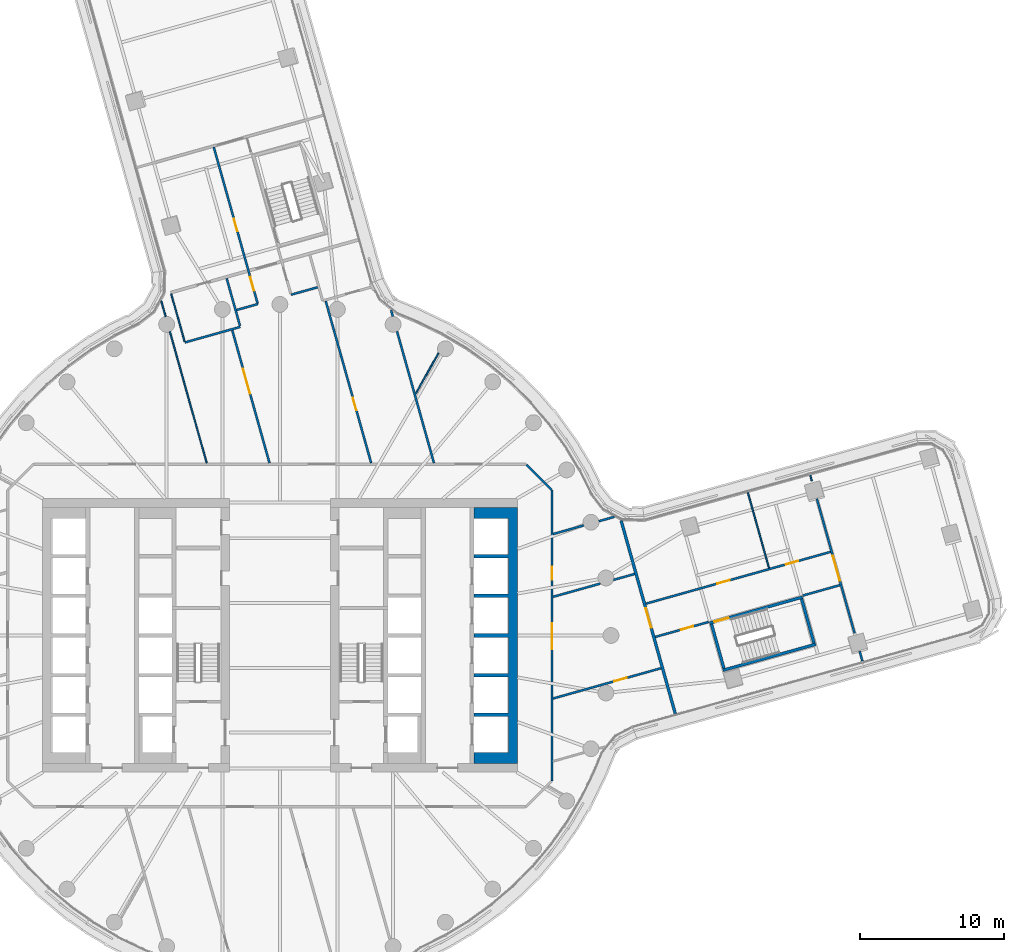
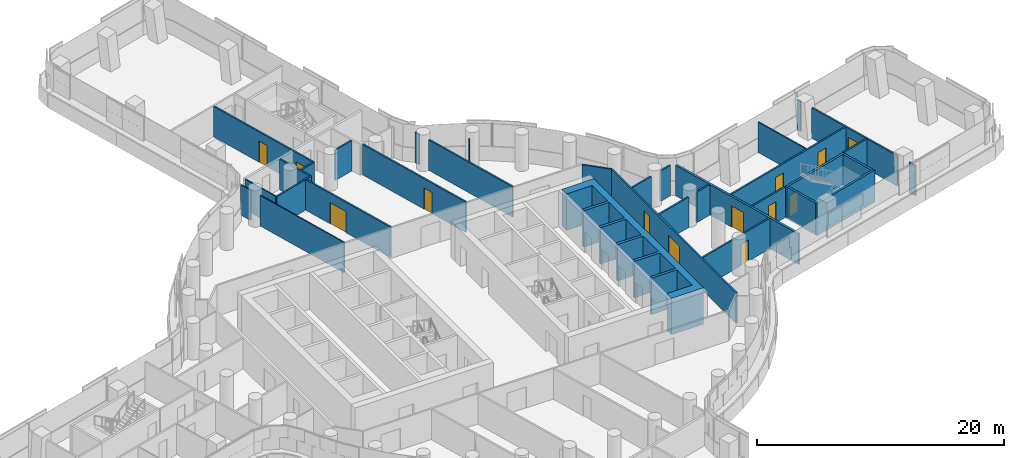
# One storey, part 21 of 30: 33 walls, 13 doors, 13 openings.
"""IFC4 building model written with IfcOpenShell, lengths in metres."""

from ifc_helpers import new_model, si_unit, direction, frame, frame_2d, origin, place, context, subcontext, project, spatial, polyline, rectangle, outline, extrude, material, layer, layer_set, type_object, element, fill, save


model = new_model("IFC4")

# Units and contexts
model_context = context("Model", 3, precision=1e-05, world=origin(), true_north=direction((0.0, 1.0)))
body_context = subcontext(model_context, "Body", "Model", "MODEL_VIEW")
ifc_project = project(units=[si_unit("LENGTHUNIT", "METRE"), si_unit("AREAUNIT", "SQUARE_METRE"), si_unit("VOLUMEUNIT", "CUBIC_METRE"), si_unit("PLANEANGLEUNIT", "RADIAN"), si_unit("MASSUNIT", "GRAM", prefix="KILO")], contexts=[model_context])

# Site, building, storey
site_placement = place(None, origin())
site = spatial("IfcSite", under=ifc_project, at=site_placement, CompositionType="ELEMENT")
building_placement = place(site_placement, origin())
building = spatial("IfcBuilding", under=site, at=building_placement, Name="Tamarind Cross Interchange Tower", CompositionType="ELEMENT")
storey_placement = place(building_placement, frame((0.0, 0.0, 91.0)))
storey = spatial("IfcBuildingStorey", under=building, at=storey_placement, Name="L21", CompositionType="ELEMENT", Elevation=91.0)

# Walls
ifc_material_1 = material(Name="Concrete C70", Category="concrete")
ifc_layer_1 = layer(ifc_material_1, 0.60009765625)
ifc_layer_set_1 = layer_set([ifc_layer_1], Name="Concrete C70")
wall_type_1 = type_object("IfcWallType", Name="Core wall 600 mm Concrete C70", PredefinedType="SHEAR", material=ifc_layer_set_1)
wall_1_placement = place(storey_placement, origin())
element("IfcWall", 1, at=wall_1_placement, inside=storey, type_object=wall_type_1, Name="Core wall CWL-L21-E-A", PredefinedType="SHEAR", context=body_context, shape_type="SweptSolid", body=[
    extrude(outline(polyline([(13.5, -8.89990234375), (15.89990234375, -8.89990234375), (16.5, -8.89990234375), (16.5, 8.89990234375), (15.89990234375, 8.89990234375), (13.5, 8.89990234375), (13.5, 8.125), (15.89990234375, 8.125), (15.89990234375, 5.625), (13.5, 5.625), (13.5, 5.375), (15.89990234375, 5.375), (15.89990234375, 2.875), (13.5, 2.875), (13.5, 2.625), (15.89990234375, 2.625), (15.89990234375, 0.125), (13.5, 0.125), (13.5, -0.125), (15.89990234375, -0.125), (15.89990234375, -2.625), (13.5, -2.625), (13.5, -2.875), (15.89990234375, -2.875), (15.89990234375, -5.375), (13.5, -5.375), (13.5, -5.625), (15.89990234375, -5.625), (15.89990234375, -8.125), (13.5, -8.125), (13.5, -8.89990234375)])), origin(), (0.0, 0.0, 1.0), 3.610107421875),
])
ifc_material_2 = material(Name="Gypsum board partition on steel studs", Category="steel")
ifc_layer_2 = layer(ifc_material_2, 0.10009765625)
ifc_layer_set_2 = layer_set([ifc_layer_2], Name="Gypsum board partition on steel studs")
wall_type_2 = type_object("IfcWallType", Name="Partition 100 mm EI 90", PredefinedType="PARTITIONING", material=ifc_layer_set_2)
wall_2_placement = place(storey_placement, frame((-8.23974609375, 23.23388671875, 0.0), z_axis=(0.0, 0.0, 1.0), x_axis=(0.2701466455, -0.962819188594, 0.0)))
element("IfcWall", 2, at=wall_2_placement, inside=storey, type_object=wall_type_2, Name="Partition L21-012", PredefinedType="PARTITIONING", context=body_context, shape_type="SweptSolid", body=[
    extrude(rectangle(XDim=1.12158203125, YDim=0.10009765625, at=frame_2d((0.560791015625, 0.0))), origin(), (0.0, 0.0, 1.0), 3.010009765625),
])
wall_3_placement = place(storey_placement, frame((-7.64453125, 21.1123046875, 0.0), z_axis=(0.0, 0.0, 1.0), x_axis=(0.270115441224, -0.962827943307, 0.0)))
element("IfcWall", 3, at=wall_3_placement, inside=storey, type_object=wall_type_2, Name="Partition L21-013", PredefinedType="PARTITIONING", context=body_context, shape_type="SweptSolid", body=[
    extrude(rectangle(XDim=9.492919921875, YDim=0.10009765625, at=frame_2d((4.74658203125, 0.0))), origin(), (0.0, 0.0, 1.0), 3.010009765625),
])
wall_4_placement = place(storey_placement, frame((-7.54833984375, 23.73046875, 0.0), z_axis=(0.0, 0.0, 1.0), x_axis=(0.27029684464, -0.962777033262, 0.0)))
element("IfcWall", 4, at=wall_4_placement, inside=storey, type_object=wall_type_2, Name="Partition L21-014", PredefinedType="PARTITIONING", context=body_context, shape_type="SweptSolid", body=[
    extrude(rectangle(XDim=3.43505859375, YDim=0.10009765625, at=frame_2d((1.717529296875, 0.0))), origin(), (0.0, 0.0, 1.0), 3.010009765625),
])
wall_5_placement = place(storey_placement, frame((32.510498046875, 9.923583984375, 0.0), z_axis=(0.0, 0.0, 1.0), x_axis=(0.270073048027, -0.96283983545, 0.0)))
element("IfcWall", 5, at=wall_5_placement, inside=storey, type_object=wall_type_2, Name="Partition L21-033", PredefinedType="PARTITIONING", context=body_context, shape_type="SweptSolid", body=[
    extrude(rectangle(XDim=5.435546875, YDim=0.10009765625, at=frame_2d((2.7177734375, 0.0))), origin(), (0.0, 0.0, 1.0), 3.010009765625),
])
wall_6_placement = place(storey_placement, frame((36.84423828125, 11.13330078125, 0.0), z_axis=(0.0, 0.0, 1.0), x_axis=(0.270187887262, -0.962807616078, 0.0)))
element("IfcWall", 6, at=wall_6_placement, inside=storey, type_object=wall_type_2, Name="Partition L21-034", PredefinedType="PARTITIONING", context=body_context, shape_type="SweptSolid", body=[
    extrude(rectangle(XDim=0.40576171875, YDim=0.10009765625, at=frame_2d((0.202880859375, 0.0))), origin(), (0.0, 0.0, 1.0), 3.010009765625),
])
wall_7_placement = place(storey_placement, frame((9.447021484375, 16.815673828125, 0.0), z_axis=(0.0, 0.0, 1.0), x_axis=(0.489815478244, 0.871826127891, 0.0)))
element("IfcWall", 7, at=wall_7_placement, inside=storey, type_object=wall_type_2, Name="Partition L21-076", PredefinedType="PARTITIONING", context=body_context, shape_type="SweptSolid", body=[
    extrude(rectangle(XDim=3.224853515625, YDim=0.10009765625, at=frame_2d((1.6123046875, 0.0))), origin(), (0.0, 0.0, 1.0), 3.010009765625),
])

# Wall, openings, doors
ifc_layer_3 = layer(ifc_material_2, 0.14990234375)
ifc_layer_set_3 = layer_set([ifc_layer_3], Name="Gypsum board partition on steel studs")
wall_type_3 = type_object("IfcWallType", Name="Partition 150 mm EI 120", PredefinedType="PARTITIONING", material=ifc_layer_set_3)
wall_8_placement = place(storey_placement, frame((-4.5927734375, 33.927734375, 0.0), z_axis=(0.0, 0.0, 1.0), x_axis=(0.27013135505, -0.962823478639, 0.0)))
wall_8 = element("IfcWall", 8, at=wall_8_placement, inside=storey, type_object=wall_type_3, Name="Partition L21-016", PredefinedType="PARTITIONING", context=body_context, shape_type="SweptSolid", body=[
    extrude(rectangle(XDim=11.304443359375, YDim=0.14990234375, at=frame_2d((5.65234375, 0.0))), origin(), (0.0, 0.0, 1.0), 3.010009765625),
])
opening_1_placement = place(wall_8_placement, frame((9.37451171875, 0.0, 0.0)))
opening_1 = element("IfcOpeningElement", 9, at=opening_1_placement, cuts=wall_8, Name="Opening D04", PredefinedType="OPENING", context=body_context, shape_type="SweptSolid", body=[
    extrude(rectangle(XDim=1.0, YDim=2.10009765625, at=frame_2d((0.5, 1.050048828125))), frame((0.0, 0.0849609375, 0.0), z_axis=(0.0, -1.0, 0.0), x_axis=(1.0, 0.0, 0.0)), (0.0, 0.0, 1.0), 0.169921875),
])
opening_2_placement = place(wall_8_placement, frame((5.175048828125, 0.0, 0.0)))
opening_2 = element("IfcOpeningElement", 10, at=opening_2_placement, cuts=wall_8, Name="Opening D05", PredefinedType="OPENING", context=body_context, shape_type="SweptSolid", body=[
    extrude(rectangle(XDim=0.89990234375, YDim=2.10009765625, at=frame_2d((0.449951171875, 1.050048828125))), frame((0.0, 0.0849609375, 0.0), z_axis=(0.0, -1.0, 0.0), x_axis=(1.0, 0.0, 0.0)), (0.0, 0.0, 1.0), 0.169921875),
])
ifc_material_3 = material(Name="Fire-resisting door set")
door_type_1 = type_object("IfcDoorType", Name="Interior door 1000 x 2100 FD60S", OperationType="SINGLE_SWING_LEFT", PredefinedType="DOOR", material=ifc_material_3)
door_1_placement = place(opening_1_placement, frame((1.0, 0.0, 0.0), z_axis=(0.0, 0.0, 1.0), x_axis=(-1.0, 0.0, 0.0)))
door_1 = element("IfcDoor", 11, at=door_1_placement, inside=storey, type_object=door_type_1, Name="Door D04", OperationType="SINGLE_SWING_RIGHT", OverallHeight=2.10009765625, OverallWidth=1.0, PredefinedType="DOOR", context=body_context, shape_type="SweptSolid", body=[
    extrude(rectangle(XDim=1.0, YDim=2.10009765625, at=frame_2d((0.5, 1.050048828125))), frame((0.0, 0.02490234375, 0.0), z_axis=(0.0, -1.0, 0.0), x_axis=(1.0, 0.0, 0.0)), (0.0, 0.0, 1.0), 0.050048828125),
])
fill(opening_1, door_1)
door_type_2 = type_object("IfcDoorType", Name="Interior door 900 x 2100 FD60S", OperationType="SINGLE_SWING_LEFT", PredefinedType="DOOR", material=ifc_material_3)
door_2_placement = place(opening_2_placement, frame((0.89990234375, 0.0, 0.0), z_axis=(0.0, 0.0, 1.0), x_axis=(-1.0, 0.0, 0.0)))
door_2 = element("IfcDoor", 12, at=door_2_placement, inside=storey, type_object=door_type_2, Name="Door D05", OperationType="SINGLE_SWING_LEFT", OverallHeight=2.10009765625, OverallWidth=0.89990234375, PredefinedType="DOOR", context=body_context, shape_type="SweptSolid", body=[
    extrude(rectangle(XDim=0.89990234375, YDim=2.10009765625, at=frame_2d((0.449951171875, 1.050048828125))), frame((0.0, 0.02490234375, 0.0), z_axis=(0.0, -1.0, 0.0), x_axis=(1.0, 0.0, 0.0)), (0.0, 0.0, 1.0), 0.050048828125),
])
fill(opening_2, door_2)

# Wall
wall_9_placement = place(storey_placement, frame((-3.695068359375, 24.8056640625, 0.0), z_axis=(0.0, 0.0, 1.0), x_axis=(0.270047699445, -0.962846945275, 0.0)))
element("IfcWall", 13, at=wall_9_placement, inside=storey, type_object=wall_type_3, Name="Partition L21-017", PredefinedType="PARTITIONING", context=body_context, shape_type="SweptSolid", body=[
    extrude(rectangle(XDim=3.424560546875, YDim=0.14990234375, at=frame_2d((1.71240234375, 0.0))), origin(), (0.0, 0.0, 1.0), 3.010009765625),
])

# Wall, opening, door
wall_10_placement = place(storey_placement, frame((-3.3076171875, 21.201904296875, 0.0), z_axis=(0.0, 0.0, 1.0), x_axis=(0.270130826249, -0.962823627, 0.0)))
wall_10 = element("IfcWall", 14, at=wall_10_placement, inside=storey, type_object=wall_type_3, Name="Partition L21-018", PredefinedType="PARTITIONING", context=body_context, shape_type="SweptSolid", body=[
    extrude(rectangle(XDim=9.5810546875, YDim=0.14990234375, at=frame_2d((4.79052734375, 0.0))), origin(), (0.0, 0.0, 1.0), 3.010009765625),
])
opening_3_placement = place(wall_10_placement, frame((2.77490234375, 0.0, 0.0)))
opening_3 = element("IfcOpeningElement", 15, at=opening_3_placement, cuts=wall_10, Name="Opening D06", PredefinedType="OPENING", context=body_context, shape_type="SweptSolid", body=[
    extrude(rectangle(XDim=1.800048828125, YDim=2.10009765625, at=frame_2d((0.89990234375, 1.050048828125))), frame((0.0, 0.0849609375, 0.0), z_axis=(0.0, -1.0, 0.0), x_axis=(1.0, 0.0, 0.0)), (0.0, 0.0, 1.0), 0.169921875),
])
door_type_3 = type_object("IfcDoorType", Name="Interior door 1800 x 2100 FD60S", OperationType="DOUBLE_DOOR_SINGLE_SWING", PredefinedType="DOOR", material=ifc_material_3)
door_3_placement = place(opening_3_placement, frame((1.800048828125, 0.0, 0.0), z_axis=(0.0, 0.0, 1.0), x_axis=(-1.0, 0.0, 0.0)))
door_3 = element("IfcDoor", 16, at=door_3_placement, inside=storey, type_object=door_type_3, Name="Door D06", OperationType="DOUBLE_DOOR_SINGLE_SWING", OverallHeight=2.10009765625, OverallWidth=1.800048828125, PredefinedType="DOOR", context=body_context, shape_type="SweptSolid", body=[
    extrude(rectangle(XDim=1.800048828125, YDim=2.10009765625, at=frame_2d((0.89990234375, 1.050048828125))), frame((0.0, 0.02490234375, 0.0), z_axis=(0.0, -1.0, 0.0), x_axis=(1.0, 0.0, 0.0)), (0.0, 0.0, 1.0), 0.050048828125),
])
fill(opening_3, door_3)

wall_11_placement = place(storey_placement, frame((3.185302734375, 23.231689453125, 0.0), z_axis=(0.0, 0.0, 1.0), x_axis=(0.270177589601, -0.962810505799, 0.0)))
wall_11 = element("IfcWall", 17, at=wall_11_placement, inside=storey, type_object=wall_type_3, Name="Partition L21-027", PredefinedType="PARTITIONING", context=body_context, shape_type="SweptSolid", body=[
    extrude(rectangle(XDim=11.689453125, YDim=0.14990234375, at=frame_2d((5.8447265625, 0.0))), origin(), (0.0, 0.0, 1.0), 3.010009765625),
])
opening_4_placement = place(wall_11_placement, frame((6.97509765625, 0.0, 0.0)))
opening_4 = element("IfcOpeningElement", 18, at=opening_4_placement, cuts=wall_11, Name="Opening D12", PredefinedType="OPENING", context=body_context, shape_type="SweptSolid", body=[
    extrude(rectangle(XDim=0.89990234375, YDim=2.10009765625, at=frame_2d((0.449951171875, 1.050048828125))), frame((0.0, 0.0849609375, 0.0), z_axis=(0.0, -1.0, 0.0), x_axis=(1.0, 0.0, 0.0)), (0.0, 0.0, 1.0), 0.169921875),
])
door_4_placement = place(opening_4_placement, origin())
door_4 = element("IfcDoor", 19, at=door_4_placement, inside=storey, type_object=door_type_2, Name="Door D12", OperationType="SINGLE_SWING_LEFT", OverallHeight=2.10009765625, OverallWidth=0.89990234375, PredefinedType="DOOR", context=body_context, shape_type="SweptSolid", body=[
    extrude(rectangle(XDim=0.89990234375, YDim=2.10009765625, at=frame_2d((0.449951171875, 1.050048828125))), frame((0.0, 0.02490234375, 0.0), z_axis=(0.0, -1.0, 0.0), x_axis=(1.0, 0.0, 0.0)), (0.0, 0.0, 1.0), 0.050048828125),
])
fill(opening_4, door_4)

# Walls
wall_12_placement = place(storey_placement, frame((7.7265625, 22.596923828125, 0.0), z_axis=(0.0, 0.0, 1.0), x_axis=(0.270015893921, -0.962855865138, 0.0)))
element("IfcWall", 20, at=wall_12_placement, inside=storey, type_object=wall_type_3, Name="Partition L21-030", PredefinedType="PARTITIONING", context=body_context, shape_type="SweptSolid", body=[
    extrude(rectangle(XDim=0.44580078125, YDim=0.14990234375, at=frame_2d((0.222900390625, 0.0))), origin(), (0.0, 0.0, 1.0), 3.010009765625),
])
wall_13_placement = place(storey_placement, frame((8.13916015625, 21.1259765625, 0.0), z_axis=(0.0, 0.0, 1.0), x_axis=(0.270065431149, -0.962841971924, 0.0)))
element("IfcWall", 21, at=wall_13_placement, inside=storey, type_object=wall_type_3, Name="Partition L21-031", PredefinedType="PARTITIONING", context=body_context, shape_type="SweptSolid", body=[
    extrude(rectangle(XDim=9.501953125, YDim=0.14990234375, at=frame_2d((4.7509765625, 0.0))), origin(), (0.0, 0.0, 1.0), 3.010009765625),
])

# Wall, opening, door
wall_14_placement = place(storey_placement, frame((37.3037109375, 9.49658203125, 0.0), z_axis=(0.0, 0.0, 1.0), x_axis=(0.270218746781, -0.962798955592, 0.0)))
wall_14 = element("IfcWall", 22, at=wall_14_placement, inside=storey, type_object=wall_type_3, Name="Partition L21-035", PredefinedType="PARTITIONING", context=body_context, shape_type="SweptSolid", body=[
    extrude(rectangle(XDim=9.70361328125, YDim=0.14990234375, at=frame_2d((4.851806640625, 0.0))), origin(), (0.0, 0.0, 1.0), 3.010009765625),
])
opening_5_placement = place(wall_14_placement, frame((4.109130859375, 0.0, 0.0)))
opening_5 = element("IfcOpeningElement", 23, at=opening_5_placement, cuts=wall_14, Name="Opening D14", PredefinedType="OPENING", context=body_context, shape_type="SweptSolid", body=[
    extrude(rectangle(XDim=1.800048828125, YDim=2.10009765625, at=frame_2d((0.89990234375, 1.050048828125))), frame((0.0, 0.0849609375, 0.0), z_axis=(0.0, -1.0, 0.0), x_axis=(1.0, 0.0, 0.0)), (0.0, 0.0, 1.0), 0.169921875),
])
door_5_placement = place(opening_5_placement, frame((1.800048828125, 0.0, 0.0), z_axis=(0.0, 0.0, 1.0), x_axis=(-1.0, 0.0, 0.0)))
door_5 = element("IfcDoor", 24, at=door_5_placement, inside=storey, type_object=door_type_3, Name="Door D14", OperationType="DOUBLE_DOOR_SINGLE_SWING", OverallHeight=2.10009765625, OverallWidth=1.800048828125, PredefinedType="DOOR", context=body_context, shape_type="SweptSolid", body=[
    extrude(rectangle(XDim=1.800048828125, YDim=2.10009765625, at=frame_2d((0.89990234375, 1.050048828125))), frame((0.0, 0.02490234375, 0.0), z_axis=(0.0, -1.0, 0.0), x_axis=(1.0, 0.0, 0.0)), (0.0, 0.0, 1.0), 0.050048828125),
])
fill(opening_5, door_5)

# Walls
wall_15_placement = place(storey_placement, frame((40.275634765625, -1.09228515625, 0.0), z_axis=(0.0, 0.0, 1.0), x_axis=(0.270407253792, -0.962746029385, 0.0)))
element("IfcWall", 25, at=wall_15_placement, inside=storey, type_object=wall_type_3, Name="Partition L21-036", PredefinedType="PARTITIONING", context=body_context, shape_type="SweptSolid", body=[
    extrude(rectangle(XDim=0.71044921875, YDim=0.14990234375, at=frame_2d((0.355224609375, 0.0))), origin(), (0.0, 0.0, 1.0), 3.010009765625),
])
wall_16_placement = place(storey_placement, frame((17.12841796875, 11.87158203125, 0.0), z_axis=(0.0, 0.0, 1.0), x_axis=(0.707106781187, -0.707106781187, 0.0)))
element("IfcWall", 26, at=wall_16_placement, inside=storey, type_object=wall_type_3, Name="Partition L21-038", PredefinedType="PARTITIONING", context=body_context, shape_type="SweptSolid", body=[
    extrude(rectangle(XDim=2.465087890625, YDim=0.14990234375, at=frame_2d((1.232421875, 0.0))), origin(), (0.0, 0.0, 1.0), 3.010009765625),
])
wall_17_placement = place(storey_placement, frame((-6.60107421875, 20.35595703125, 0.0), z_axis=(0.0, 0.0, 1.0), x_axis=(0.96284855284, 0.270041967653, 0.0)))
element("IfcWall", 27, at=wall_17_placement, inside=storey, type_object=wall_type_3, Name="Partition L21-055", PredefinedType="PARTITIONING", context=body_context, shape_type="SweptSolid", body=[
    extrude(rectangle(XDim=3.999755859375, YDim=0.14990234375, at=frame_2d((2.0, 0.0))), origin(), (0.0, 0.0, 1.0), 3.010009765625),
])
wall_18_placement = place(storey_placement, frame((-3.001708984375, 22.6123046875, 0.0), z_axis=(0.0, 0.0, 1.0), x_axis=(0.962854159799, 0.270021974954, 0.0)))
element("IfcWall", 28, at=wall_18_placement, inside=storey, type_object=wall_type_3, Name="Partition L21-057", PredefinedType="PARTITIONING", context=body_context, shape_type="SweptSolid", body=[
    extrude(rectangle(XDim=1.5244140625, YDim=0.14990234375, at=frame_2d((0.76220703125, 0.0))), origin(), (0.0, 0.0, 1.0), 3.010009765625),
])
wall_19_placement = place(storey_placement, frame((0.77685546875, 23.67236328125, 0.0), z_axis=(0.0, 0.0, 1.0), x_axis=(0.962833527083, 0.270095537032, 0.0)))
element("IfcWall", 29, at=wall_19_placement, inside=storey, type_object=wall_type_3, Name="Partition L21-058", PredefinedType="PARTITIONING", context=body_context, shape_type="SweptSolid", body=[
    extrude(rectangle(XDim=1.92529296875, YDim=0.14990234375, at=frame_2d((0.962646484375, 0.0))), origin(), (0.0, 0.0, 1.0), 3.010009765625),
])

# Wall, opening, door
wall_20_placement = place(storey_placement, frame((18.97705078125, -4.37939453125, 0.0), z_axis=(0.0, 0.0, 1.0), x_axis=(0.962819006097, 0.270147295932, 0.0)))
wall_20 = element("IfcWall", 30, at=wall_20_placement, inside=storey, type_object=wall_type_3, Name="Partition L21-063", PredefinedType="PARTITIONING", context=body_context, shape_type="SweptSolid", body=[
    extrude(rectangle(XDim=7.788330078125, YDim=0.14990234375, at=frame_2d((3.89404296875, 0.0))), origin(), (0.0, 0.0, 1.0), 3.010009765625),
])
opening_6_placement = place(wall_20_placement, frame((4.419921875, 0.0, 0.0)))
opening_6 = element("IfcOpeningElement", 31, at=opening_6_placement, cuts=wall_20, Name="Opening D34", PredefinedType="OPENING", context=body_context, shape_type="SweptSolid", body=[
    extrude(rectangle(XDim=0.89990234375, YDim=2.10009765625, at=frame_2d((0.449951171875, 1.050048828125))), frame((0.0, 0.0849609375, 0.0), z_axis=(0.0, -1.0, 0.0), x_axis=(1.0, 0.0, 0.0)), (0.0, 0.0, 1.0), 0.169921875),
])
door_6_placement = place(opening_6_placement, frame((0.89990234375, 0.0, 0.0), z_axis=(0.0, 0.0, 1.0), x_axis=(-1.0, 0.0, 0.0)))
door_6 = element("IfcDoor", 32, at=door_6_placement, inside=storey, type_object=door_type_2, Name="Door D34", OperationType="SINGLE_SWING_RIGHT", OverallHeight=2.10009765625, OverallWidth=0.89990234375, PredefinedType="DOOR", context=body_context, shape_type="SweptSolid", body=[
    extrude(rectangle(XDim=0.89990234375, YDim=2.10009765625, at=frame_2d((0.449951171875, 1.050048828125))), frame((0.0, 0.02490234375, 0.0), z_axis=(0.0, -1.0, 0.0), x_axis=(1.0, 0.0, 0.0)), (0.0, 0.0, 1.0), 0.050048828125),
])
fill(opening_6, door_6)

# Walls
wall_21_placement = place(storey_placement, frame((18.97705078125, 2.68359375, 0.0), z_axis=(0.0, 0.0, 1.0), x_axis=(0.962845365639, 0.270053331526, 0.0)))
element("IfcWall", 33, at=wall_21_placement, inside=storey, type_object=wall_type_3, Name="Partition L21-064", PredefinedType="PARTITIONING", context=body_context, shape_type="SweptSolid", body=[
    extrude(rectangle(XDim=3.421875, YDim=0.14990234375, at=frame_2d((1.7109375, 0.0))), origin(), (0.0, 0.0, 1.0), 3.010009765625),
])
wall_22_placement = place(storey_placement, frame((23.175048828125, 3.861083984375, 0.0), z_axis=(0.0, 0.0, 1.0), x_axis=(0.962859226114, 0.270003908653, 0.0)))
element("IfcWall", 34, at=wall_22_placement, inside=storey, type_object=wall_type_3, Name="Partition L21-065", PredefinedType="PARTITIONING", context=body_context, shape_type="SweptSolid", body=[
    extrude(rectangle(XDim=1.525390625, YDim=0.14990234375, at=frame_2d((0.7626953125, 0.0))), origin(), (0.0, 0.0, 1.0), 3.010009765625),
])
wall_23_placement = place(storey_placement, frame((18.97705078125, 7.045654296875, 0.0), z_axis=(0.0, 0.0, 1.0), x_axis=(0.962846161083, 0.270050495442, 0.0)))
element("IfcWall", 35, at=wall_23_placement, inside=storey, type_object=wall_type_3, Name="Partition L21-066", PredefinedType="PARTITIONING", context=body_context, shape_type="SweptSolid", body=[
    extrude(rectangle(XDim=2.217529296875, YDim=0.14990234375, at=frame_2d((1.10888671875, 0.0))), origin(), (0.0, 0.0, 1.0), 3.010009765625),
])
wall_24_placement = place(storey_placement, frame((22.154052734375, 7.936767578125, 0.0), z_axis=(0.0, 0.0, 1.0), x_axis=(0.962819188594, 0.2701466455, 0.0)))
element("IfcWall", 36, at=wall_24_placement, inside=storey, type_object=wall_type_3, Name="Partition L21-067", PredefinedType="PARTITIONING", context=body_context, shape_type="SweptSolid", body=[
    extrude(rectangle(XDim=1.12158203125, YDim=0.14990234375, at=frame_2d((0.560791015625, 0.0))), origin(), (0.0, 0.0, 1.0), 3.010009765625),
])

# Wall, openings, doors
wall_25_placement = place(storey_placement, frame((25.431396484375, 2.208984375, 0.0), z_axis=(0.0, 0.0, 1.0), x_axis=(0.962819831845, 0.270144352903, 0.0)))
wall_25 = element("IfcWall", 37, at=wall_25_placement, inside=storey, type_object=wall_type_3, Name="Partition L21-070", PredefinedType="PARTITIONING", context=body_context, shape_type="SweptSolid", body=[
    extrude(rectangle(XDim=13.32470703125, YDim=0.14990234375, at=frame_2d((6.662353515625, 0.0))), origin(), (0.0, 0.0, 1.0), 3.010009765625),
])
opening_7_placement = place(wall_25_placement, frame((5.14990234375, 0.0, 0.0)))
opening_7 = element("IfcOpeningElement", 38, at=opening_7_placement, cuts=wall_25, Name="Opening D35", PredefinedType="OPENING", context=body_context, shape_type="SweptSolid", body=[
    extrude(rectangle(XDim=0.89990234375, YDim=2.10009765625, at=frame_2d((0.449951171875, 1.050048828125))), frame((0.0, 0.0849609375, 0.0), z_axis=(0.0, -1.0, 0.0), x_axis=(1.0, 0.0, 0.0)), (0.0, 0.0, 1.0), 0.169921875),
])
opening_8_placement = place(wall_25_placement, frame((10.099609375, 0.0, 0.0)))
opening_8 = element("IfcOpeningElement", 39, at=opening_8_placement, cuts=wall_25, Name="Opening D36", PredefinedType="OPENING", context=body_context, shape_type="SweptSolid", body=[
    extrude(rectangle(XDim=0.89990234375, YDim=2.10009765625, at=frame_2d((0.449951171875, 1.050048828125))), frame((0.0, 0.0849609375, 0.0), z_axis=(0.0, -1.0, 0.0), x_axis=(1.0, 0.0, 0.0)), (0.0, 0.0, 1.0), 0.169921875),
])
door_7_placement = place(opening_7_placement, origin())
door_7 = element("IfcDoor", 40, at=door_7_placement, inside=storey, type_object=door_type_2, Name="Door D35", OperationType="SINGLE_SWING_RIGHT", OverallHeight=2.10009765625, OverallWidth=0.89990234375, PredefinedType="DOOR", context=body_context, shape_type="SweptSolid", body=[
    extrude(rectangle(XDim=0.89990234375, YDim=2.10009765625, at=frame_2d((0.449951171875, 1.050048828125))), frame((0.0, 0.02490234375, 0.0), z_axis=(0.0, -1.0, 0.0), x_axis=(1.0, 0.0, 0.0)), (0.0, 0.0, 1.0), 0.050048828125),
])
fill(opening_7, door_7)
door_8_placement = place(opening_8_placement, origin())
door_8 = element("IfcDoor", 41, at=door_8_placement, inside=storey, type_object=door_type_2, Name="Door D36", OperationType="SINGLE_SWING_LEFT", OverallHeight=2.10009765625, OverallWidth=0.89990234375, PredefinedType="DOOR", context=body_context, shape_type="SweptSolid", body=[
    extrude(rectangle(XDim=0.89990234375, YDim=2.10009765625, at=frame_2d((0.449951171875, 1.050048828125))), frame((0.0, 0.02490234375, 0.0), z_axis=(0.0, -1.0, 0.0), x_axis=(1.0, 0.0, 0.0)), (0.0, 0.0, 1.0), 0.050048828125),
])
fill(opening_8, door_8)

# Wall, opening, door
wall_26_placement = place(storey_placement, frame((26.079345703125, -0.10205078125, 0.0), z_axis=(0.0, 0.0, 1.0), x_axis=(0.962818701321, 0.270148382167, 0.0)))
wall_26 = element("IfcWall", 42, at=wall_26_placement, inside=storey, type_object=wall_type_3, Name="Partition L21-071", PredefinedType="PARTITIONING", context=body_context, shape_type="SweptSolid", body=[
    extrude(rectangle(XDim=3.85986328125, YDim=0.14990234375, at=frame_2d((1.929931640625, 0.0))), origin(), (0.0, 0.0, 1.0), 3.010009765625),
])
opening_9_placement = place(wall_26_placement, frame((1.85009765625, 0.0, 0.0)))
opening_9 = element("IfcOpeningElement", 43, at=opening_9_placement, cuts=wall_26, Name="Opening D37", PredefinedType="OPENING", context=body_context, shape_type="SweptSolid", body=[
    extrude(rectangle(XDim=0.89990234375, YDim=2.10009765625, at=frame_2d((0.449951171875, 1.050048828125))), frame((0.0, 0.0849609375, 0.0), z_axis=(0.0, -1.0, 0.0), x_axis=(1.0, 0.0, 0.0)), (0.0, 0.0, 1.0), 0.169921875),
])
door_9_placement = place(opening_9_placement, frame((0.89990234375, 0.0, 0.0), z_axis=(0.0, 0.0, 1.0), x_axis=(-1.0, 0.0, 0.0)))
door_9 = element("IfcDoor", 44, at=door_9_placement, inside=storey, type_object=door_type_2, Name="Door D37", OperationType="SINGLE_SWING_RIGHT", OverallHeight=2.10009765625, OverallWidth=0.89990234375, PredefinedType="DOOR", context=body_context, shape_type="SweptSolid", body=[
    extrude(rectangle(XDim=0.89990234375, YDim=2.10009765625, at=frame_2d((0.449951171875, 1.050048828125))), frame((0.0, 0.02490234375, 0.0), z_axis=(0.0, -1.0, 0.0), x_axis=(1.0, 0.0, 0.0)), (0.0, 0.0, 1.0), 0.050048828125),
])
fill(opening_9, door_9)

# Wall
wall_27_placement = place(storey_placement, frame((36.32373046875, 2.772216796875, 0.0), z_axis=(0.0, 0.0, 1.0), x_axis=(0.962813707146, 0.270166180953, 0.0)))
element("IfcWall", 45, at=wall_27_placement, inside=storey, type_object=wall_type_3, Name="Partition L21-072", PredefinedType="PARTITIONING", context=body_context, shape_type="SweptSolid", body=[
    extrude(rectangle(XDim=2.684814453125, YDim=0.14990234375, at=frame_2d((1.34228515625, 0.0))), origin(), (0.0, 0.0, 1.0), 3.010009765625),
])

# Wall, openings, doors
wall_28_placement = place(storey_placement, frame((18.89990234375, -10.10009765625, 0.0), z_axis=(0.0, 0.0, 1.0), x_axis=(0.0, 1.0, 0.0)))
wall_28 = element("IfcWall", 46, at=wall_28_placement, inside=storey, type_object=wall_type_3, Name="Partition L21-078", PredefinedType="PARTITIONING", context=body_context, shape_type="SweptSolid", body=[
    extrude(rectangle(XDim=20.2001953125, YDim=0.14990234375, at=frame_2d((10.10009765625, 0.0))), origin(), (0.0, 0.0, 1.0), 3.010009765625),
])
opening_10_placement = place(wall_28_placement, frame((9.14892578125, 0.0, 0.0)))
opening_10 = element("IfcOpeningElement", 47, at=opening_10_placement, cuts=wall_28, Name="Opening D40", PredefinedType="OPENING", context=body_context, shape_type="SweptSolid", body=[
    extrude(rectangle(XDim=1.800048828125, YDim=2.10009765625, at=frame_2d((0.89990234375, 1.050048828125))), frame((0.0, 0.0849609375, 0.0), z_axis=(0.0, -1.0, 0.0), x_axis=(1.0, 0.0, 0.0)), (0.0, 0.0, 1.0), 0.169921875),
])
opening_11_placement = place(wall_28_placement, frame((13.9619140625, 0.0, 0.0)))
opening_11 = element("IfcOpeningElement", 48, at=opening_11_placement, cuts=wall_28, Name="Opening D41", PredefinedType="OPENING", context=body_context, shape_type="SweptSolid", body=[
    extrude(rectangle(XDim=0.89990234375, YDim=2.10009765625, at=frame_2d((0.449951171875, 1.050048828125))), frame((0.0, 0.0849609375, 0.0), z_axis=(0.0, -1.0, 0.0), x_axis=(1.0, 0.0, 0.0)), (0.0, 0.0, 1.0), 0.169921875),
])
door_10_placement = place(opening_10_placement, origin())
door_10 = element("IfcDoor", 49, at=door_10_placement, inside=storey, type_object=door_type_3, Name="Door D40", OperationType="DOUBLE_DOOR_SINGLE_SWING", OverallHeight=2.10009765625, OverallWidth=1.800048828125, PredefinedType="DOOR", context=body_context, shape_type="SweptSolid", body=[
    extrude(rectangle(XDim=1.800048828125, YDim=2.10009765625, at=frame_2d((0.89990234375, 1.050048828125))), frame((0.0, 0.02490234375, 0.0), z_axis=(0.0, -1.0, 0.0), x_axis=(1.0, 0.0, 0.0)), (0.0, 0.0, 1.0), 0.050048828125),
])
fill(opening_10, door_10)
door_11_placement = place(opening_11_placement, frame((0.89990234375, 0.0, 0.0), z_axis=(0.0, 0.0, 1.0), x_axis=(-1.0, 0.0, 0.0)))
door_11 = element("IfcDoor", 50, at=door_11_placement, inside=storey, type_object=door_type_2, Name="Door D41", OperationType="SINGLE_SWING_RIGHT", OverallHeight=2.10009765625, OverallWidth=0.89990234375, PredefinedType="DOOR", context=body_context, shape_type="SweptSolid", body=[
    extrude(rectangle(XDim=0.89990234375, YDim=2.10009765625, at=frame_2d((0.449951171875, 1.050048828125))), frame((0.0, 0.02490234375, 0.0), z_axis=(0.0, -1.0, 0.0), x_axis=(1.0, 0.0, 0.0)), (0.0, 0.0, 1.0), 0.050048828125),
])
fill(opening_11, door_11)

# Wall, opening, door
ifc_layer_4 = layer(ifc_material_2, 0.199951171875)
ifc_layer_set_4 = layer_set([ifc_layer_4], Name="Gypsum board partition on steel studs")
wall_type_4 = type_object("IfcWallType", Name="Partition 200 mm EI 180", PredefinedType="PARTITIONING", material=ifc_layer_set_4)
wall_29_placement = place(storey_placement, frame((23.707275390625, 7.982421875, 0.0), z_axis=(0.0, 0.0, 1.0), x_axis=(0.270046796754, -0.96284719845, 0.0)))
wall_29 = element("IfcWall", 51, at=wall_29_placement, inside=storey, type_object=wall_type_4, Name="Partition L21-032", PredefinedType="PARTITIONING", context=body_context, shape_type="SweptSolid", body=[
    extrude(rectangle(XDim=13.923583984375, YDim=0.199951171875, at=frame_2d((6.9619140625, 0.0))), origin(), (0.0, 0.0, 1.0), 3.010009765625),
])
opening_12_placement = place(wall_29_placement, frame((6.324462890625, 0.0, 0.0)))
opening_12 = element("IfcOpeningElement", 52, at=opening_12_placement, cuts=wall_29, Name="Opening D13", PredefinedType="OPENING", context=body_context, shape_type="SweptSolid", body=[
    extrude(rectangle(XDim=1.39990234375, YDim=2.10009765625, at=frame_2d((0.699951171875, 1.050048828125))), frame((0.0, 0.10986328125, 0.0), z_axis=(0.0, -1.0, 0.0), x_axis=(1.0, 0.0, 0.0)), (0.0, 0.0, 1.0), 0.219970703125),
])
door_type_4 = type_object("IfcDoorType", Name="Interior door 1400 x 2100 FD120S", OperationType="DOUBLE_DOOR_SINGLE_SWING", PredefinedType="DOOR", material=ifc_material_3)
door_12_placement = place(opening_12_placement, frame((1.39990234375, 0.0, 0.0), z_axis=(0.0, 0.0, 1.0), x_axis=(-1.0, 0.0, 0.0)))
door_12 = element("IfcDoor", 53, at=door_12_placement, inside=storey, type_object=door_type_4, Name="Door D13", OperationType="DOUBLE_DOOR_SINGLE_SWING", OverallHeight=2.10009765625, OverallWidth=1.39990234375, PredefinedType="DOOR", context=body_context, shape_type="SweptSolid", body=[
    extrude(rectangle(XDim=1.39990234375, YDim=2.10009765625, at=frame_2d((0.699951171875, 1.050048828125))), frame((0.0, 0.02490234375, 0.0), z_axis=(0.0, -1.0, 0.0), x_axis=(1.0, 0.0, 0.0)), (0.0, 0.0, 1.0), 0.050048828125),
])
fill(opening_12, door_12)

ifc_material_4 = material(Name="Concrete C40", Category="concrete")
ifc_layer_5 = layer(ifc_material_4, 0.199951171875)
ifc_layer_set_5 = layer_set([ifc_layer_5], Name="Concrete C40")
wall_type_5 = type_object("IfcWallType", Name="Stair shaft wall 200 mm Concrete C40", PredefinedType="SHEAR", material=ifc_layer_set_5)
wall_30_placement = place(storey_placement, frame((29.861083984375, 0.855224609375, -0.139892578125), z_axis=(0.0, 0.0, 1.0), x_axis=(0.962816662149, 0.270155649743, 0.0)))
wall_30 = element("IfcWall", 54, at=wall_30_placement, inside=storey, type_object=wall_type_5, Name="Core wall CWL-L21-ST3-H", PredefinedType="SHEAR", context=body_context, shape_type="SweptSolid", body=[
    extrude(rectangle(XDim=6.699951171875, YDim=0.199951171875, at=frame_2d((3.35009765625, 0.0))), origin(), (0.0, 0.0, 1.0), 3.14990234375),
])
opening_13_placement = place(wall_30_placement, frame((0.35009765625, 0.0, 0.0)))
opening_13 = element("IfcOpeningElement", 55, at=opening_13_placement, cuts=wall_30, Name="Opening ST3L21", PredefinedType="OPENING", context=body_context, shape_type="SweptSolid", body=[
    extrude(rectangle(XDim=1.0, YDim=2.10009765625, at=frame_2d((0.5, 1.050048828125))), frame((0.0, 0.10986328125, 0.0), z_axis=(0.0, -1.0, 0.0), x_axis=(1.0, 0.0, 0.0)), (0.0, 0.0, 1.0), 0.219970703125),
])
ifc_material_5 = material(Name="Steel, fire-resisting", Category="steel")
door_type_5 = type_object("IfcDoorType", Name="Core fire door 1000 x 2100 FD90", OperationType="SINGLE_SWING_LEFT", PredefinedType="DOOR", material=ifc_material_5)
door_13_placement = place(opening_13_placement, origin())
door_13 = element("IfcDoor", 56, at=door_13_placement, inside=storey, type_object=door_type_5, Name="L21 stair door ST3", OperationType="SINGLE_SWING_LEFT", OverallHeight=2.10009765625, OverallWidth=1.0, PredefinedType="DOOR", context=body_context, shape_type="SweptSolid", body=[
    extrude(rectangle(XDim=1.0, YDim=2.10009765625, at=frame_2d((0.5, 1.050048828125))), frame((0.0, 0.02490234375, 0.0), z_axis=(0.0, -1.0, 0.0), x_axis=(1.0, 0.0, 0.0)), (0.0, 0.0, 1.0), 0.050048828125),
])
fill(opening_13, door_13)

# Walls
wall_31_placement = place(storey_placement, frame((30.779541015625, -2.418212890625, -0.139892578125), z_axis=(0.0, 0.0, 1.0), x_axis=(0.96282879836, 0.270112393364, 0.0)))
element("IfcWall", 57, at=wall_31_placement, inside=storey, type_object=wall_type_5, Name="Core wall CWL-L21-ST3-C", PredefinedType="SHEAR", context=body_context, shape_type="SweptSolid", body=[
    extrude(rectangle(XDim=6.7001953125, YDim=0.199951171875, at=frame_2d((3.35009765625, 0.0))), origin(), (0.0, 0.0, 1.0), 3.14990234375),
])
wall_32_placement = place(storey_placement, frame((30.848876953125, -2.294921875, -0.139892578125), z_axis=(0.0, 0.0, 1.0), x_axis=(-0.270082682319, 0.962837133014, 0.0)))
element("IfcWall", 58, at=wall_32_placement, inside=storey, type_object=wall_type_5, Name="Core wall CWL-L21-ST3-CE", PredefinedType="SHEAR", context=body_context, shape_type="SweptSolid", body=[
    extrude(rectangle(XDim=3.199951171875, YDim=0.199951171875, at=frame_2d((1.60009765625, 0.0))), origin(), (0.0, 0.0, 1.0), 3.14990234375),
])
wall_33_placement = place(storey_placement, frame((0.0, 0.0, -0.139892578125)))
element("IfcWall", 59, at=wall_33_placement, inside=storey, type_object=wall_type_5, Name="Core wall CWL-L21-ST3-CF", PredefinedType="SHEAR", context=body_context, shape_type="SweptSolid", body=[
    extrude(outline(polyline([(37.010986328125, -0.566162109375), (37.20361328125, -0.51220703125), (36.339111328125, 2.56884765625), (36.146484375, 2.514892578125), (37.010986328125, -0.566162109375)])), origin(), (0.0, 0.0, 1.0), 3.14990234375),
])

save(model, "model.ifc")
